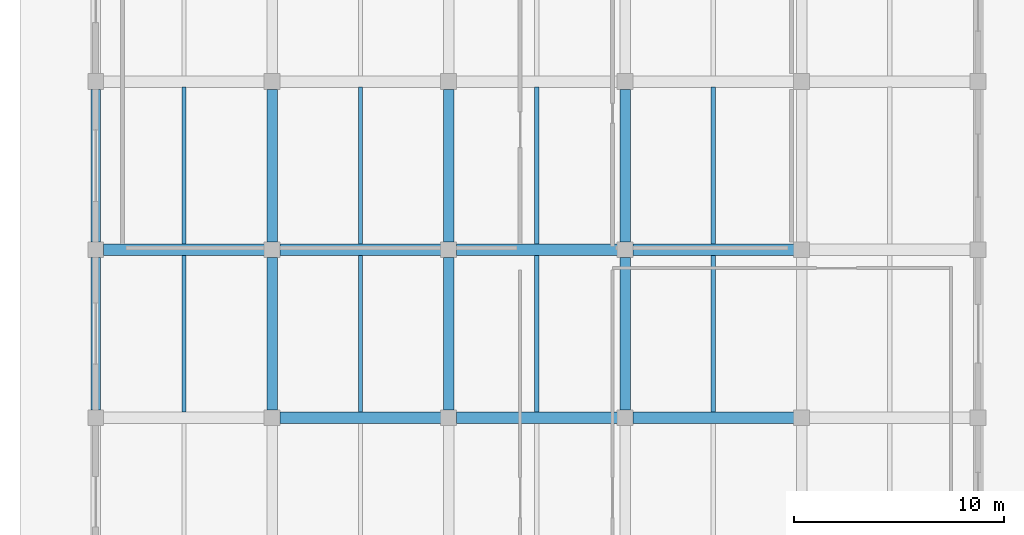
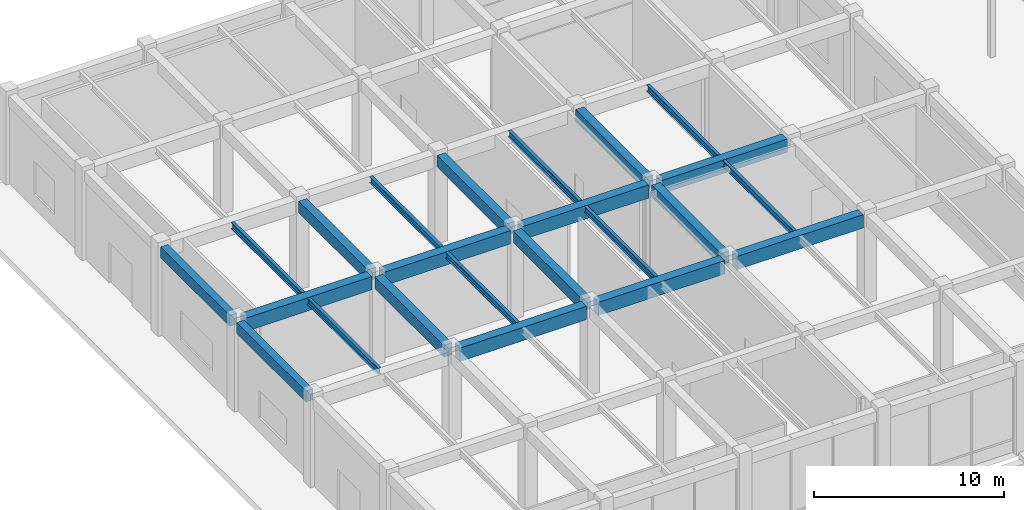
# One storey, part 29 of 76: 23 beams.
"""IFC4 building model written with IfcOpenShell, lengths in metres."""

import ifcopenshell
import ifcopenshell.guid

model = None  # the IFC model being written
_history = None  # IfcOwnerHistory: only IFC2X3 demands one
_inside = {}  # id of a spatial element -> (the spatial element, [elements in it])
_under = {}  # id of a project, library or spatial element -> (it, [spatial elements below it])
_declared = {}  # id of a project -> (the project, [libraries it declares])
_typed = {}  # id of a type object -> (the type object, [elements of that type])
_made_of = {}  # id of a material, layer set ... -> (it, [elements and type objects made of it])


def new_model(schema):
    """Start an empty IFC model of exactly this schema.

    Asked for "IFC4X3", IfcOpenShell would pick the latest addendum, in which some entities
    have other attributes; the version numbers below select the first issue.
    IFC2X3 requires an IfcOwnerHistory on every rooted entity: one is made here for all.
    """
    global model, _history
    if schema == "IFC4X3":
        model = ifcopenshell.file(schema_version=(4, 3, 0, 0))
    else:
        model = ifcopenshell.file(schema=schema)
    _inside.clear()
    _under.clear()
    _declared.clear()
    _typed.clear()
    _made_of.clear()
    _history = None
    if model.schema == "IFC2X3":
        org = make("IfcOrganization", Name="unknown")
        user = make(
            "IfcPersonAndOrganization",
            ThePerson=make("IfcPerson", FamilyName="unknown"),
            TheOrganization=org,
        )
        app = make(
            "IfcApplication",
            ApplicationDeveloper=org,
            Version="unknown",
            ApplicationFullName="unknown",
            ApplicationIdentifier="unknown",
        )
        _history = make(
            "IfcOwnerHistory",
            OwningUser=user,
            OwningApplication=app,
            ChangeAction="ADDED",
            CreationDate=0,
        )
    return model


def make(cls, **values):
    """One entity of the class cls with the attributes given. An attribute that is None is left unset."""
    return model.create_entity(
        cls, **{name: value for name, value in values.items() if value is not None}
    )


def rooted(cls, **values):
    """An entity with a GlobalId (a new one), such as an element, a storey or a relation."""
    return make(cls, GlobalId=ifcopenshell.guid.new(), OwnerHistory=_history, **values)


def si_unit(unit_type, name, prefix=None):
    """IfcSIUnit, for example si_unit("LENGTHUNIT", "METRE", prefix="MILLI")."""
    return make("IfcSIUnit", UnitType=unit_type, Prefix=prefix, Name=name)


def assignment(units):
    """IfcUnitAssignment: the units of a project."""
    return None if units is None else make("IfcUnitAssignment", Units=units)


def point(xyz):
    """IfcCartesianPoint."""
    return None if xyz is None else make("IfcCartesianPoint", Coordinates=xyz)


def direction(xyz):
    """IfcDirection."""
    return None if xyz is None else make("IfcDirection", DirectionRatios=xyz)


def frame(location, z_axis=None, x_axis=None):
    """IfcAxis2Placement3D, a coordinate frame: its origin and axes. An axis left out is left unset."""
    return make(
        "IfcAxis2Placement3D",
        Location=point(location),
        Axis=direction(z_axis),
        RefDirection=direction(x_axis),
    )


def frame_2d(location, x_axis=None):
    """IfcAxis2Placement2D, a coordinate frame in the plane: its origin and x axis."""
    return make(
        "IfcAxis2Placement2D", Location=point(location), RefDirection=direction(x_axis)
    )


def origin():
    """The frame at (0, 0, 0) with its axes left unset."""
    return frame((0.0, 0.0, 0.0))


def origin_2d():
    """The frame at (0, 0) in the plane with its x axis left unset."""
    return frame_2d((0.0, 0.0))


def place(relative_to, where):
    """IfcLocalPlacement: puts the frame where relative to a parent placement (None: the world)."""
    return make(
        "IfcLocalPlacement", PlacementRelTo=relative_to, RelativePlacement=where
    )


def context(
    kind, dimensions, precision=None, world=None, true_north=None, identifier=None
):
    """IfcGeometricRepresentationContext, for example the 3D "Model" context."""
    return make(
        "IfcGeometricRepresentationContext",
        ContextIdentifier=identifier,
        ContextType=kind,
        CoordinateSpaceDimension=dimensions,
        Precision=precision,
        WorldCoordinateSystem=world,
        TrueNorth=true_north,
    )


def subcontext(parent, identifier, kind, view, scale=None):
    """IfcGeometricRepresentationSubContext, for example "Body" below "Model"."""
    return make(
        "IfcGeometricRepresentationSubContext",
        ContextIdentifier=identifier,
        ContextType=kind,
        ParentContext=parent,
        TargetScale=scale,
        TargetView=view,
    )


def project(units=None, contexts=None):
    """IfcProject with its units and contexts."""
    return rooted(
        "IfcProject",
        Name="project",
        RepresentationContexts=contexts,
        UnitsInContext=assignment(units),
    )


def spatial(cls, under=None, at=None, **own):
    """A site, building, storey or space (cls), placed at a placement, below another one or the project."""
    s = rooted(cls, ObjectPlacement=at, **own)
    if under is not None:
        _under.setdefault(under.id(), (under, []))[1].append(s)
    return s


def profile(cls, at=None, kind="AREA", **sizes):
    """A parametric profile (cls). Its sizes go by their IFC names, for example OverallWidth=200.0."""
    return make(cls, ProfileType=kind, Position=at, **sizes)


def rectangle(**sizes):
    """IfcRectangleProfileDef."""
    return profile("IfcRectangleProfileDef", **sizes)


def i_section(**sizes):
    """IfcIShapeProfileDef."""
    return profile("IfcIShapeProfileDef", **sizes)


def extrude(swept, where, along, depth):
    """IfcExtrudedAreaSolid: the profile swept, set in the frame where, extruded along a direction by depth."""
    return make(
        "IfcExtrudedAreaSolid",
        SweptArea=swept,
        Position=where,
        ExtrudedDirection=direction(along),
        Depth=depth,
    )


def shape(context_of_items, identifier, shape_type, items):
    """IfcShapeRepresentation: the items that make up one representation, for example the "Body"."""
    return make(
        "IfcShapeRepresentation",
        ContextOfItems=context_of_items,
        RepresentationIdentifier=identifier,
        RepresentationType=shape_type,
        Items=items,
    )


def material(Name=None, Category=None):
    """IfcMaterial."""
    return make("IfcMaterial", Name=Name, Category=Category)


def material_profile(
    of_material, cross_section, Name=None, Category=None, Priority=None
):
    """IfcMaterialProfile: a cross section and its material."""
    return make(
        "IfcMaterialProfile",
        Name=Name,
        Material=of_material,
        Profile=cross_section,
        Priority=Priority,
        Category=Category,
    )


def profile_set(profiles, Name=None, composite=None):
    """IfcMaterialProfileSet."""
    return make(
        "IfcMaterialProfileSet",
        Name=Name,
        MaterialProfiles=profiles,
        CompositeProfile=composite,
    )


def made_of(thing, what):
    """Note that an element or type object is made of a material, layer set ...; save() writes the relation."""
    if what is not None:
        _made_of.setdefault(what.id(), (what, []))[1].append(thing)
    return thing


def type_object(cls, material=None, **own):
    """A type object (cls), such as IfcWallType, which elements share."""
    return made_of(rooted(cls, **own), material)


def element(
    cls,
    number,
    at=None,
    inside=None,
    cuts=None,
    type_object=None,
    material=None,
    context=None,
    identifier="Body",
    shape_type=None,
    held_by="IfcProductDefinitionShape",
    body=None,
    shapes=None,
    **own,
):
    """One element of the class cls, such as IfcWall. Its Tag is "e" and its number.

    at: its placement. inside: the storey or other place that contains it. cuts: it is an
    opening in that element (IfcRelVoidsElement). A single representation is given by context,
    identifier, shape_type and body (its items); several are given by shapes. held_by: the class
    of the entity that holds the representations. save() writes the other relations.
    """
    e = rooted(cls, Tag="e%d" % number, ObjectPlacement=at, **own)
    if body is not None:
        shapes = [shape(context, identifier, shape_type, body)]
    if shapes is not None:
        e.Representation = make(held_by, Representations=shapes)
    if inside is not None:
        _inside.setdefault(inside.id(), (inside, []))[1].append(e)
    if cuts is not None:
        rooted(
            "IfcRelVoidsElement", RelatingBuildingElement=cuts, RelatedOpeningElement=e
        )
    if type_object is not None:
        _typed.setdefault(type_object.id(), (type_object, []))[1].append(e)
    return made_of(e, material)


def aggregate(whole, parts):
    """IfcRelAggregates: a whole, such as a stair, and the parts it consists of."""
    return rooted("IfcRelAggregates", RelatingObject=whole, RelatedObjects=parts)


def save(model, path):
    """Write the relations noted so far, then the file.

    IfcRelAggregates (storeys below a building ...), IfcRelContainedInSpatialStructure (elements
    in a storey), IfcRelDefinesByType, IfcRelAssociatesMaterial and IfcRelDeclares: one each for
    every whole, place, type object, material and project.
    """
    for whole, parts in _under.values():
        aggregate(whole, parts)
    for where, things in _inside.values():
        rooted(
            "IfcRelContainedInSpatialStructure",
            RelatedElements=things,
            RelatingStructure=where,
        )
    for kind, things in _typed.values():
        rooted("IfcRelDefinesByType", RelatedObjects=things, RelatingType=kind)
    for what, things in _made_of.values():
        rooted("IfcRelAssociatesMaterial", RelatedObjects=things, RelatingMaterial=what)
    for by, libraries in _declared.values():
        rooted("IfcRelDeclares", RelatingContext=by, RelatedDefinitions=libraries)
    model.write(path)


model = new_model("IFC4")

# Units and contexts
model_context = context("Model", 3, precision=1e-05, world=origin(), true_north=direction((0.0, 1.0)))
body_context = subcontext(model_context, "Body", "Model", "MODEL_VIEW")
ifc_project = project(units=[si_unit("LENGTHUNIT", "METRE"), si_unit("AREAUNIT", "SQUARE_METRE"), si_unit("VOLUMEUNIT", "CUBIC_METRE"), si_unit("PLANEANGLEUNIT", "RADIAN"), si_unit("MASSUNIT", "GRAM", prefix="KILO")], contexts=[model_context])

# Site, building, storey
site_placement = place(None, origin())
site = spatial("IfcSite", under=ifc_project, at=site_placement, CompositionType="ELEMENT")
building_placement = place(site_placement, origin())
building = spatial("IfcBuilding", under=site, at=building_placement, Name="Naruveol Harbour Congress Hotel", CompositionType="ELEMENT")
storey_placement = place(building_placement, origin())
storey = spatial("IfcBuildingStorey", under=building, at=storey_placement, Name="L00", CompositionType="ELEMENT", Elevation=0.0)

# Beams
ifc_material_1 = material(Name="Concrete C40/50", Category="concrete")
ifc_material_profile_1 = material_profile(ifc_material_1, rectangle(XDim=0.5, YDim=0.75, at=origin_2d()), Name="RCB-500x750")
ifc_profile_set_1 = profile_set([ifc_material_profile_1], Name="Concrete C40/50")
beam_type_1 = type_object("IfcBeamType", Name="RC FLOOR GIRDER 500X750", PredefinedType="BEAM", material=ifc_profile_set_1)
for number, where, z_axis, x_axis, name in (
    (1, (8.39990234375, 80.37109375, 5.324951171875), (0.0, 1.0, 0.0), (-1.0, 0.0, 0.0), "Transverse girder L01 CB3"),
    (2, (8.39990234375, 88.37109375, 5.324951171875), (0.0, 1.0, 0.0), (-1.0, 0.0, 0.0), "Transverse girder L01 CB3"),
    (3, (16.800048828125, 80.37109375, 5.324951171875), (0.0, 1.0, 0.0), (-1.0, 0.0, 0.0), "Transverse girder L01 CB3"),
    (4, (16.800048828125, 88.37109375, 5.324951171875), (0.0, 1.0, 0.0), (-1.0, 0.0, 0.0), "Transverse girder L01 CB3"),
    (5, (25.199951171875, 80.37109375, 5.324951171875), (0.0, 1.0, 0.0), (-1.0, 0.0, 0.0), "Transverse girder L01 CB3"),
    (6, (25.199951171875, 88.37109375, 5.324951171875), (0.0, 1.0, 0.0), (-1.0, 0.0, 0.0), "Transverse girder L01 CB3"),
):
    element("IfcBeam", number, at=place(storey_placement, frame(where, z_axis=z_axis, x_axis=x_axis)), inside=storey, type_object=beam_type_1, Name=name, PredefinedType="BEAM", context=body_context, shape_type="SweptSolid", body=[
        extrude(rectangle(XDim=0.5, YDim=0.75, at=origin_2d()), origin(), (0.0, 0.0, 1.0), 7.2578125),
    ])
ifc_material_2 = material(Name="Concrete C40/50", Category="concrete")
ifc_material_profile_2 = material_profile(ifc_material_2, rectangle(XDim=0.550048828125, YDim=0.85009765625, at=origin_2d()), Name="RCB-550x850")
ifc_profile_set_2 = profile_set([ifc_material_profile_2], Name="Concrete C40/50")
beam_type_2 = type_object("IfcBeamType", Name="RC PRIMARY GIRDER 550X850", PredefinedType="BEAM", material=ifc_profile_set_2)
beam_1_placement = place(storey_placement, frame((8.77099609375, 80.0, 5.27490234375), z_axis=(1.0, 0.0, 0.0), x_axis=(0.0, 1.0, 0.0)))
element("IfcBeam", 7, at=beam_1_placement, inside=storey, type_object=beam_type_2, Name="Floor girder L01 CB2", PredefinedType="BEAM", context=body_context, shape_type="SweptSolid", body=[
    extrude(rectangle(XDim=0.550048828125, YDim=0.85009765625, at=origin_2d()), origin(), (0.0, 0.0, 1.0), 7.657958984375),
])
beam_2_placement = place(storey_placement, frame((17.1708984375, 80.0, 5.27490234375), z_axis=(1.0, 0.0, 0.0), x_axis=(0.0, 1.0, 0.0)))
element("IfcBeam", 8, at=beam_2_placement, inside=storey, type_object=beam_type_2, Name="Floor girder L01 CB2", PredefinedType="BEAM", context=body_context, shape_type="SweptSolid", body=[
    extrude(rectangle(XDim=0.550048828125, YDim=0.85009765625, at=origin_2d()), origin(), (0.0, 0.0, 1.0), 7.658203125),
])
for number, where, z_axis, x_axis, name in (
    (9, (25.571044921875, 80.0, 5.27490234375), (1.0, 0.0, 0.0), (0.0, 1.0, 0.0), "Floor girder L01 CB2"),
    (10, (0.37109375, 88.0, 5.27490234375), (1.0, 0.0, 0.0), (0.0, 1.0, 0.0), "Floor girder L01 CB2"),
    (11, (8.77099609375, 88.0, 5.27490234375), (1.0, 0.0, 0.0), (0.0, 1.0, 0.0), "Floor girder L01 CB2"),
):
    element("IfcBeam", number, at=place(storey_placement, frame(where, z_axis=z_axis, x_axis=x_axis)), inside=storey, type_object=beam_type_2, Name=name, PredefinedType="BEAM", context=body_context, shape_type="SweptSolid", body=[
        extrude(rectangle(XDim=0.550048828125, YDim=0.85009765625, at=origin_2d()), origin(), (0.0, 0.0, 1.0), 7.657958984375),
    ])
beam_3_placement = place(storey_placement, frame((17.1708984375, 88.0, 5.27490234375), z_axis=(1.0, 0.0, 0.0), x_axis=(0.0, 1.0, 0.0)))
element("IfcBeam", 12, at=beam_3_placement, inside=storey, type_object=beam_type_2, Name="Floor girder L01 CB2", PredefinedType="BEAM", context=body_context, shape_type="SweptSolid", body=[
    extrude(rectangle(XDim=0.550048828125, YDim=0.85009765625, at=origin_2d()), origin(), (0.0, 0.0, 1.0), 7.658203125),
])
beam_4_placement = place(storey_placement, frame((25.571044921875, 88.0, 5.27490234375), z_axis=(1.0, 0.0, 0.0), x_axis=(0.0, 1.0, 0.0)))
element("IfcBeam", 13, at=beam_4_placement, inside=storey, type_object=beam_type_2, Name="Floor girder L01 CB2", PredefinedType="BEAM", context=body_context, shape_type="SweptSolid", body=[
    extrude(rectangle(XDim=0.550048828125, YDim=0.85009765625, at=origin_2d()), origin(), (0.0, 0.0, 1.0), 7.657958984375),
])
ifc_material_3 = material(Name="Concrete C40/50", Category="concrete")
ifc_material_profile_3 = material_profile(ifc_material_3, rectangle(XDim=0.449951171875, YDim=0.699951171875, at=origin_2d()), Name="RCB-450x700")
ifc_profile_set_3 = profile_set([ifc_material_profile_3], Name="Concrete C40/50")
beam_type_3 = type_object("IfcBeamType", Name="RC SPANDREL BEAM 450X700", PredefinedType="SPANDREL", material=ifc_profile_set_3)
for number, where, z_axis, x_axis, name in (
    (14, (0.0, 80.37109375, 5.35009765625), (0.0, 1.0, 0.0), (-1.0, 0.0, 0.0), "Transverse girder L01 SPB1"),
    (15, (0.0, 88.37109375, 5.35009765625), (0.0, 1.0, 0.0), (-1.0, 0.0, 0.0), "Transverse girder L01 SPB1"),
):
    element("IfcBeam", number, at=place(storey_placement, frame(where, z_axis=z_axis, x_axis=x_axis)), inside=storey, type_object=beam_type_3, Name=name, PredefinedType="SPANDREL", context=body_context, shape_type="SweptSolid", body=[
        extrude(rectangle(XDim=0.449951171875, YDim=0.699951171875, at=origin_2d()), origin(), (0.0, 0.0, 1.0), 7.2578125),
    ])
ifc_material_4 = material(Name="Steel SN490", Category="steel")
ifc_material_profile_4 = material_profile(ifc_material_4, i_section(OverallWidth=0.199951171875, OverallDepth=0.39990234375, WebThickness=0.008056640625, FlangeThickness=0.012939453125, at=origin_2d()), Name="H-400x200x8x13")
ifc_profile_set_4 = profile_set([ifc_material_profile_4], Name="Steel SN490")
beam_type_4 = type_object("IfcBeamType", Name="STEEL SECONDARY JOIST H400", PredefinedType="JOIST", material=ifc_profile_set_4)
for number, where, z_axis, x_axis, name in (
    (16, (4.199951171875, 80.27099609375, 5.5), (0.0, 1.0, 0.0), (-1.0, 0.0, 0.0), "Secondary floor joist L01 SJ1"),
    (17, (12.60009765625, 80.27099609375, 5.5), (0.0, 1.0, 0.0), (-1.0, 0.0, 0.0), "Secondary floor joist L01 SJ1"),
    (18, (21.0, 80.27099609375, 5.5), (0.0, 1.0, 0.0), (-1.0, 0.0, 0.0), "Secondary floor joist L01 SJ1"),
    (19, (29.39990234375, 80.27099609375, 5.5), (0.0, 1.0, 0.0), (-1.0, 0.0, 0.0), "Secondary floor joist L01 SJ1"),
    (20, (4.199951171875, 88.27099609375, 5.5), (0.0, 1.0, 0.0), (-1.0, 0.0, 0.0), "Secondary floor joist L01 SJ1"),
    (21, (12.60009765625, 88.27099609375, 5.5), (0.0, 1.0, 0.0), (-1.0, 0.0, 0.0), "Secondary floor joist L01 SJ1"),
    (22, (21.0, 88.27099609375, 5.5), (0.0, 1.0, 0.0), (-1.0, 0.0, 0.0), "Secondary floor joist L01 SJ1"),
    (23, (29.39990234375, 88.27099609375, 5.5), (0.0, 1.0, 0.0), (-1.0, 0.0, 0.0), "Secondary floor joist L01 SJ1"),
):
    element("IfcBeam", number, at=place(storey_placement, frame(where, z_axis=z_axis, x_axis=x_axis)), inside=storey, type_object=beam_type_4, Name=name, PredefinedType="JOIST", context=body_context, shape_type="SweptSolid", body=[
        extrude(i_section(OverallWidth=0.199951171875, OverallDepth=0.39990234375, WebThickness=0.008056640625, FlangeThickness=0.012939453125, at=origin_2d()), origin(), (0.0, 0.0, 1.0), 7.4580078125),
    ])

save(model, "model.ifc")
